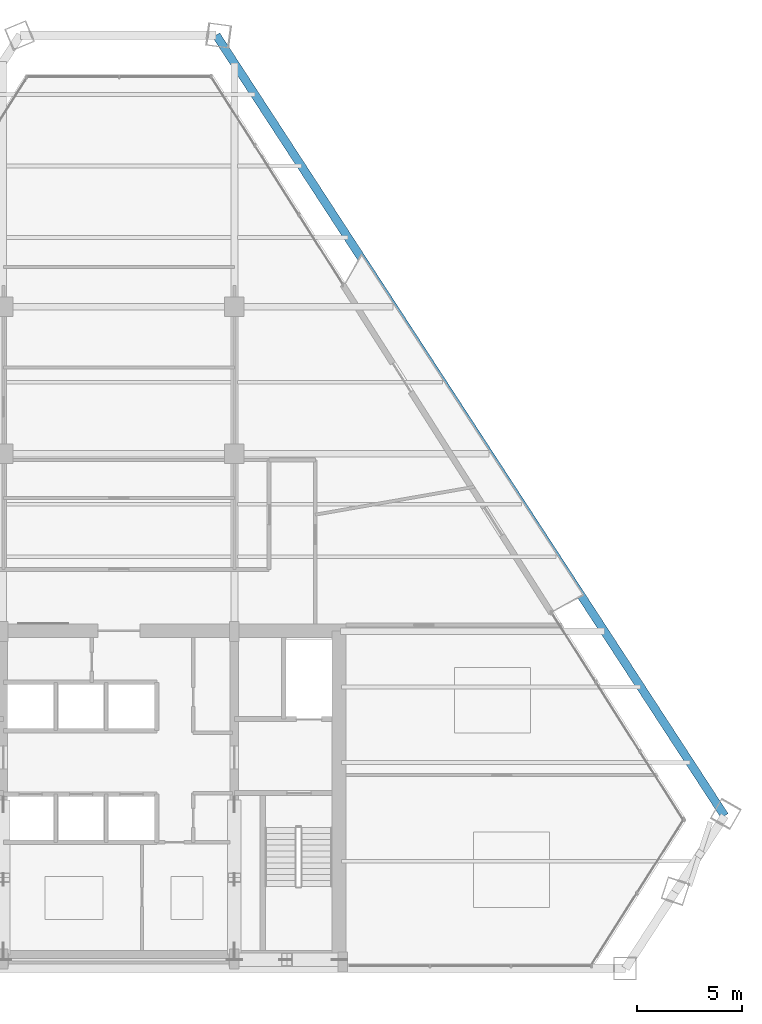
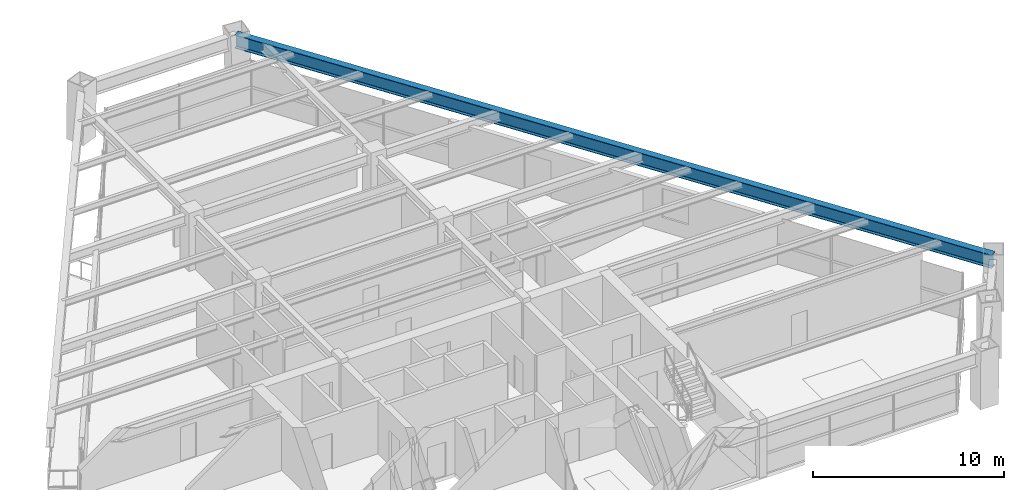
# One storey, part 7 of 15: 1 beam.
"""IFC4 building model written with IfcOpenShell, lengths in metres."""

import ifcopenshell
import ifcopenshell.guid

model = None  # the IFC model being written
_history = None  # IfcOwnerHistory: only IFC2X3 demands one
_inside = {}  # id of a spatial element -> (the spatial element, [elements in it])
_under = {}  # id of a project, library or spatial element -> (it, [spatial elements below it])
_declared = {}  # id of a project -> (the project, [libraries it declares])
_typed = {}  # id of a type object -> (the type object, [elements of that type])
_made_of = {}  # id of a material, layer set ... -> (it, [elements and type objects made of it])


def new_model(schema):
    """Start an empty IFC model of exactly this schema.

    Asked for "IFC4X3", IfcOpenShell would pick the latest addendum, in which some entities
    have other attributes; the version numbers below select the first issue.
    IFC2X3 requires an IfcOwnerHistory on every rooted entity: one is made here for all.
    """
    global model, _history
    if schema == "IFC4X3":
        model = ifcopenshell.file(schema_version=(4, 3, 0, 0))
    else:
        model = ifcopenshell.file(schema=schema)
    _inside.clear()
    _under.clear()
    _declared.clear()
    _typed.clear()
    _made_of.clear()
    _history = None
    if model.schema == "IFC2X3":
        org = make("IfcOrganization", Name="unknown")
        user = make(
            "IfcPersonAndOrganization",
            ThePerson=make("IfcPerson", FamilyName="unknown"),
            TheOrganization=org,
        )
        app = make(
            "IfcApplication",
            ApplicationDeveloper=org,
            Version="unknown",
            ApplicationFullName="unknown",
            ApplicationIdentifier="unknown",
        )
        _history = make(
            "IfcOwnerHistory",
            OwningUser=user,
            OwningApplication=app,
            ChangeAction="ADDED",
            CreationDate=0,
        )
    return model


def make(cls, **values):
    """One entity of the class cls with the attributes given. An attribute that is None is left unset."""
    return model.create_entity(
        cls, **{name: value for name, value in values.items() if value is not None}
    )


def rooted(cls, **values):
    """An entity with a GlobalId (a new one), such as an element, a storey or a relation."""
    return make(cls, GlobalId=ifcopenshell.guid.new(), OwnerHistory=_history, **values)


def si_unit(unit_type, name, prefix=None):
    """IfcSIUnit, for example si_unit("LENGTHUNIT", "METRE", prefix="MILLI")."""
    return make("IfcSIUnit", UnitType=unit_type, Prefix=prefix, Name=name)


def assignment(units):
    """IfcUnitAssignment: the units of a project."""
    return None if units is None else make("IfcUnitAssignment", Units=units)


def point(xyz):
    """IfcCartesianPoint."""
    return None if xyz is None else make("IfcCartesianPoint", Coordinates=xyz)


def direction(xyz):
    """IfcDirection."""
    return None if xyz is None else make("IfcDirection", DirectionRatios=xyz)


def frame(location, z_axis=None, x_axis=None):
    """IfcAxis2Placement3D, a coordinate frame: its origin and axes. An axis left out is left unset."""
    return make(
        "IfcAxis2Placement3D",
        Location=point(location),
        Axis=direction(z_axis),
        RefDirection=direction(x_axis),
    )


def frame_2d(location, x_axis=None):
    """IfcAxis2Placement2D, a coordinate frame in the plane: its origin and x axis."""
    return make(
        "IfcAxis2Placement2D", Location=point(location), RefDirection=direction(x_axis)
    )


def origin():
    """The frame at (0, 0, 0) with its axes left unset."""
    return frame((0.0, 0.0, 0.0))


def origin_2d():
    """The frame at (0, 0) in the plane with its x axis left unset."""
    return frame_2d((0.0, 0.0))


def place(relative_to, where):
    """IfcLocalPlacement: puts the frame where relative to a parent placement (None: the world)."""
    return make(
        "IfcLocalPlacement", PlacementRelTo=relative_to, RelativePlacement=where
    )


def context(
    kind, dimensions, precision=None, world=None, true_north=None, identifier=None
):
    """IfcGeometricRepresentationContext, for example the 3D "Model" context."""
    return make(
        "IfcGeometricRepresentationContext",
        ContextIdentifier=identifier,
        ContextType=kind,
        CoordinateSpaceDimension=dimensions,
        Precision=precision,
        WorldCoordinateSystem=world,
        TrueNorth=true_north,
    )


def subcontext(parent, identifier, kind, view, scale=None):
    """IfcGeometricRepresentationSubContext, for example "Body" below "Model"."""
    return make(
        "IfcGeometricRepresentationSubContext",
        ContextIdentifier=identifier,
        ContextType=kind,
        ParentContext=parent,
        TargetScale=scale,
        TargetView=view,
    )


def project(units=None, contexts=None):
    """IfcProject with its units and contexts."""
    return rooted(
        "IfcProject",
        Name="project",
        RepresentationContexts=contexts,
        UnitsInContext=assignment(units),
    )


def spatial(cls, under=None, at=None, **own):
    """A site, building, storey or space (cls), placed at a placement, below another one or the project."""
    s = rooted(cls, ObjectPlacement=at, **own)
    if under is not None:
        _under.setdefault(under.id(), (under, []))[1].append(s)
    return s


def profile(cls, at=None, kind="AREA", **sizes):
    """A parametric profile (cls). Its sizes go by their IFC names, for example OverallWidth=200.0."""
    return make(cls, ProfileType=kind, Position=at, **sizes)


def i_section(**sizes):
    """IfcIShapeProfileDef."""
    return profile("IfcIShapeProfileDef", **sizes)


def extrude(swept, where, along, depth):
    """IfcExtrudedAreaSolid: the profile swept, set in the frame where, extruded along a direction by depth."""
    return make(
        "IfcExtrudedAreaSolid",
        SweptArea=swept,
        Position=where,
        ExtrudedDirection=direction(along),
        Depth=depth,
    )


def shape(context_of_items, identifier, shape_type, items):
    """IfcShapeRepresentation: the items that make up one representation, for example the "Body"."""
    return make(
        "IfcShapeRepresentation",
        ContextOfItems=context_of_items,
        RepresentationIdentifier=identifier,
        RepresentationType=shape_type,
        Items=items,
    )


def source(mapping_origin, context_of_items, identifier, shape_type, items):
    """IfcRepresentationMap: a shape defined once, which mapped items show again and again."""
    return make(
        "IfcRepresentationMap",
        MappingOrigin=mapping_origin,
        MappedRepresentation=shape(context_of_items, identifier, shape_type, items),
    )


def transform(
    local_origin,
    x_axis=None,
    y_axis=None,
    z_axis=None,
    scale=None,
    scale2=None,
    scale3=None,
    uniform=True,
):
    """IfcCartesianTransformationOperator3D, or its non-uniform kind. x_axis, y_axis, z_axis: its Axis1, 2, 3."""
    if uniform:
        return make(
            "IfcCartesianTransformationOperator3D",
            Axis1=direction(x_axis),
            Axis2=direction(y_axis),
            LocalOrigin=point(local_origin),
            Scale=scale,
            Axis3=direction(z_axis),
        )
    return make(
        "IfcCartesianTransformationOperator3DnonUniform",
        Axis1=direction(x_axis),
        Axis2=direction(y_axis),
        LocalOrigin=point(local_origin),
        Scale=scale,
        Axis3=direction(z_axis),
        Scale2=scale2,
        Scale3=scale3,
    )


def mapped(mapping_source, mapping_target):
    """IfcMappedItem: shows the shape of a source again, moved by a transform."""
    return make(
        "IfcMappedItem", MappingSource=mapping_source, MappingTarget=mapping_target
    )


def material(Name=None, Category=None):
    """IfcMaterial."""
    return make("IfcMaterial", Name=Name, Category=Category)


def material_profile(
    of_material, cross_section, Name=None, Category=None, Priority=None
):
    """IfcMaterialProfile: a cross section and its material."""
    return make(
        "IfcMaterialProfile",
        Name=Name,
        Material=of_material,
        Profile=cross_section,
        Priority=Priority,
        Category=Category,
    )


def profile_set(profiles, Name=None, composite=None):
    """IfcMaterialProfileSet."""
    return make(
        "IfcMaterialProfileSet",
        Name=Name,
        MaterialProfiles=profiles,
        CompositeProfile=composite,
    )


def made_of(thing, what):
    """Note that an element or type object is made of a material, layer set ...; save() writes the relation."""
    if what is not None:
        _made_of.setdefault(what.id(), (what, []))[1].append(thing)
    return thing


def type_object(cls, material=None, **own):
    """A type object (cls), such as IfcWallType, which elements share."""
    return made_of(rooted(cls, **own), material)


def element(
    cls,
    number,
    at=None,
    inside=None,
    cuts=None,
    type_object=None,
    material=None,
    context=None,
    identifier="Body",
    shape_type=None,
    held_by="IfcProductDefinitionShape",
    body=None,
    shapes=None,
    **own,
):
    """One element of the class cls, such as IfcWall. Its Tag is "e" and its number.

    at: its placement. inside: the storey or other place that contains it. cuts: it is an
    opening in that element (IfcRelVoidsElement). A single representation is given by context,
    identifier, shape_type and body (its items); several are given by shapes. held_by: the class
    of the entity that holds the representations. save() writes the other relations.
    """
    e = rooted(cls, Tag="e%d" % number, ObjectPlacement=at, **own)
    if body is not None:
        shapes = [shape(context, identifier, shape_type, body)]
    if shapes is not None:
        e.Representation = make(held_by, Representations=shapes)
    if inside is not None:
        _inside.setdefault(inside.id(), (inside, []))[1].append(e)
    if cuts is not None:
        rooted(
            "IfcRelVoidsElement", RelatingBuildingElement=cuts, RelatedOpeningElement=e
        )
    if type_object is not None:
        _typed.setdefault(type_object.id(), (type_object, []))[1].append(e)
    return made_of(e, material)


def aggregate(whole, parts):
    """IfcRelAggregates: a whole, such as a stair, and the parts it consists of."""
    return rooted("IfcRelAggregates", RelatingObject=whole, RelatedObjects=parts)


def save(model, path):
    """Write the relations noted so far, then the file.

    IfcRelAggregates (storeys below a building ...), IfcRelContainedInSpatialStructure (elements
    in a storey), IfcRelDefinesByType, IfcRelAssociatesMaterial and IfcRelDeclares: one each for
    every whole, place, type object, material and project.
    """
    for whole, parts in _under.values():
        aggregate(whole, parts)
    for where, things in _inside.values():
        rooted(
            "IfcRelContainedInSpatialStructure",
            RelatedElements=things,
            RelatingStructure=where,
        )
    for kind, things in _typed.values():
        rooted("IfcRelDefinesByType", RelatedObjects=things, RelatingType=kind)
    for what, things in _made_of.values():
        rooted("IfcRelAssociatesMaterial", RelatedObjects=things, RelatingMaterial=what)
    for by, libraries in _declared.values():
        rooted("IfcRelDeclares", RelatingContext=by, RelatedDefinitions=libraries)
    model.write(path)


model = new_model("IFC4")

# Units and contexts
model_context = context("Model", 3, precision=1e-05, world=origin(), true_north=direction((0.0, 1.0)))
body_context = subcontext(model_context, "Body", "Model", "MODEL_VIEW")
ifc_project = project(units=[si_unit("LENGTHUNIT", "METRE"), si_unit("AREAUNIT", "SQUARE_METRE"), si_unit("VOLUMEUNIT", "CUBIC_METRE"), si_unit("PLANEANGLEUNIT", "RADIAN"), si_unit("MASSUNIT", "GRAM", prefix="KILO")], contexts=[model_context])

# Site, building, storey
site_placement = place(None, origin())
site = spatial("IfcSite", under=ifc_project, at=site_placement, CompositionType="ELEMENT")
building_placement = place(site_placement, origin())
building = spatial("IfcBuilding", under=site, at=building_placement, Name="Varnakhor Terracotta Tower", CompositionType="ELEMENT")
storey_placement = place(building_placement, frame((0.0, 0.0, 162.60009765625)))
storey = spatial("IfcBuildingStorey", under=building, at=storey_placement, Name="L41", CompositionType="ELEMENT", Elevation=162.60009765625)

# Beam
ifc_material = material(Name="Steel S355", Category="steel")
ifc_material_profile = material_profile(ifc_material, i_section(OverallWidth=0.39990234375, OverallDepth=0.85498046875, WebThickness=0.01806640625, FlangeThickness=0.029052734375, FilletRadius=0.01806640625, at=origin_2d()), Name="W33X201")
ifc_profile_set = profile_set([ifc_material_profile], Name="Steel S355")
beam_type = type_object("IfcBeamType", Name="BM-W33X201", PredefinedType="BEAM", material=ifc_profile_set)
shared_shape = source(origin(), body_context, "Body", "SweptSolid", [
    extrude(i_section(OverallWidth=0.39990234375, OverallDepth=0.85498046875, WebThickness=0.01806640625, FlangeThickness=0.029052734375, FilletRadius=0.01806640625, at=origin_2d()), origin(), (0.0, 0.0, 1.0), 44.353759765625),
])
beam_placement = place(storey_placement, frame((28.83740234375, 7.2626953125, 2.972412109375), z_axis=(-0.545748679422, 0.837948911873, 0.0), x_axis=(-0.837948911873, -0.545748679422, 0.0)))
element("IfcBeam", 1, at=beam_placement, inside=storey, type_object=beam_type, Name="L41 Perimeter Spandrel 4", PredefinedType="BEAM", context=body_context, shape_type="MappedRepresentation", body=[
    mapped(shared_shape, transform((0.0, 0.0, 0.0), scale=1.0)),
])

save(model, "model.ifc")
